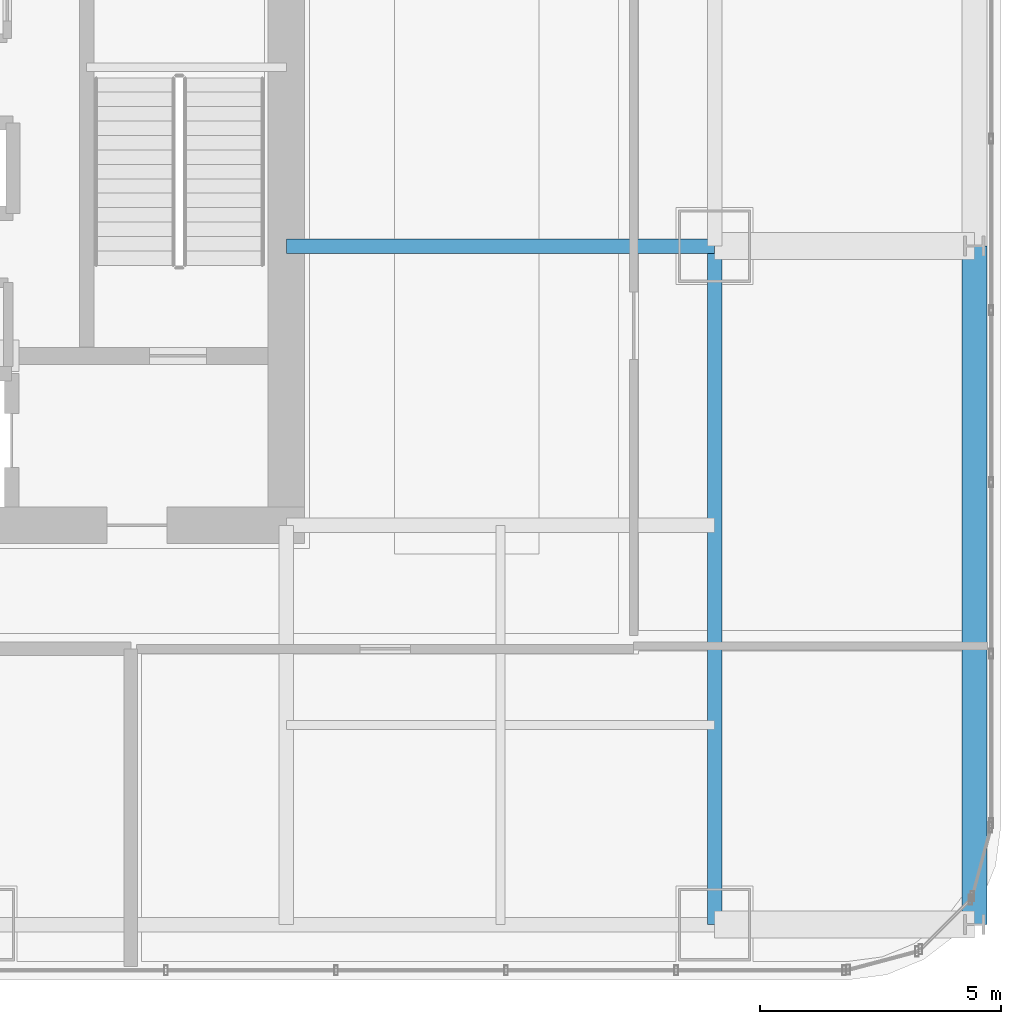
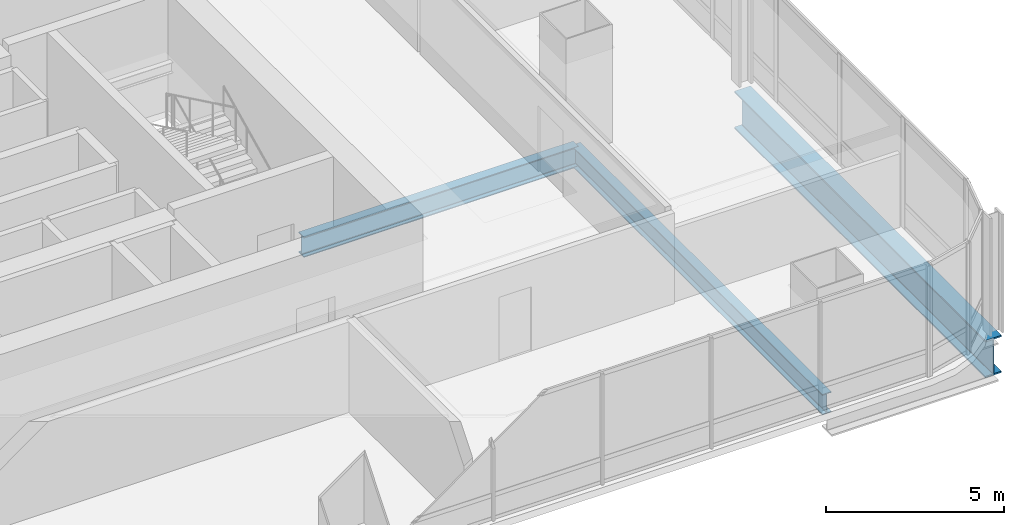
# One storey, part 14 of 34: 3 beams.
"""IFC4 building model written with IfcOpenShell, lengths in metres."""

from ifc_helpers import new_model, si_unit, direction, frame, origin, origin_2d, place, context, subcontext, project, spatial, i_section, extrude, material, material_profile, profile_set, type_object, element, save


model = new_model("IFC4")

# Units and contexts
model_context = context("Model", 3, precision=1e-05, world=origin(), true_north=direction((0.0, 1.0)))
body_context = subcontext(model_context, "Body", "Model", "MODEL_VIEW")
ifc_project = project(units=[si_unit("LENGTHUNIT", "METRE"), si_unit("AREAUNIT", "SQUARE_METRE"), si_unit("VOLUMEUNIT", "CUBIC_METRE"), si_unit("PLANEANGLEUNIT", "RADIAN"), si_unit("MASSUNIT", "GRAM", prefix="KILO")], contexts=[model_context])

# Site, building, storey
site_placement = place(None, origin())
site = spatial("IfcSite", under=ifc_project, at=site_placement, CompositionType="ELEMENT")
building_placement = place(site_placement, origin())
building = spatial("IfcBuilding", under=site, at=building_placement, Name="Punatoya Terracotta Tower", CompositionType="ELEMENT")
storey_placement = place(building_placement, frame((0.0, 0.0, 101.10009765625)))
storey = spatial("IfcBuildingStorey", under=building, at=storey_placement, Name="L23", CompositionType="ELEMENT", Elevation=101.10009765625)

# Beams
ifc_material_1 = material(Name="Steel S355", Category="steel")
ifc_material_profile_1 = material_profile(ifc_material_1, i_section(OverallWidth=0.300048828125, OverallDepth=0.699951171875, WebThickness=0.01708984375, FlangeThickness=0.031982421875, FilletRadius=0.01806640625, at=origin_2d()))
ifc_profile_set_1 = profile_set([ifc_material_profile_1], Name="Steel S355")
beam_type_1 = type_object("IfcBeamType", Name="BM-PRI-700", PredefinedType="BEAM", material=ifc_profile_set_1)
beam_1_placement = place(storey_placement, frame((19.10009765625, -17.5, -0.590087890625), z_axis=(0.0, 1.0, 0.0), x_axis=(-1.0, 0.0, 0.0)))
element("IfcBeam", 1, at=beam_1_placement, inside=storey, type_object=beam_type_1, Name="BM-L23-RG-E1", PredefinedType="BEAM", context=body_context, shape_type="SweptSolid", body=[
    extrude(i_section(OverallWidth=0.300048828125, OverallDepth=0.699951171875, WebThickness=0.01708984375, FlangeThickness=0.031982421875, FilletRadius=0.01806640625, at=origin_2d()), origin(), (0.0, 0.0, 1.0), 14.10009765625),
])
beam_2_placement = place(storey_placement, frame((10.199951171875, -3.39990234375, -0.590087890625), z_axis=(1.0, 0.0, 0.0), x_axis=(0.0, 1.0, 0.0)))
element("IfcBeam", 2, at=beam_2_placement, inside=storey, type_object=beam_type_1, Name="BM-L23-PR-ED", PredefinedType="BEAM", context=body_context, shape_type="SweptSolid", body=[
    extrude(i_section(OverallWidth=0.300048828125, OverallDepth=0.699951171875, WebThickness=0.01708984375, FlangeThickness=0.031982421875, FilletRadius=0.01806640625, at=origin_2d()), origin(), (0.0, 0.0, 1.0), 8.900146484375),
])
ifc_material_2 = material(Name="Steel S460", Category="steel")
ifc_material_profile_2 = material_profile(ifc_material_2, i_section(OverallWidth=0.52001953125, OverallDepth=1.280029296875, WebThickness=0.031982421875, FlangeThickness=0.050048828125, FilletRadius=0.01806640625, at=origin_2d()))
ifc_profile_set_2 = profile_set([ifc_material_profile_2], Name="Steel S460")
beam_type_2 = type_object("IfcBeamType", Name="BM-TG-NCK", PredefinedType="BEAM", material=ifc_profile_set_2)
beam_3_placement = place(storey_placement, frame((24.5, -17.5, -0.880126953125), z_axis=(0.0, 1.0, 0.0), x_axis=(-1.0, 0.0, 0.0)))
element("IfcBeam", 3, at=beam_3_placement, inside=storey, type_object=beam_type_2, Name="BM-L23-PER-E1", PredefinedType="BEAM", context=body_context, shape_type="SweptSolid", body=[
    extrude(i_section(OverallWidth=0.52001953125, OverallDepth=1.280029296875, WebThickness=0.031982421875, FlangeThickness=0.050048828125, FilletRadius=0.01806640625, at=origin_2d()), origin(), (0.0, 0.0, 1.0), 14.10009765625),
])

save(model, "model.ifc")
